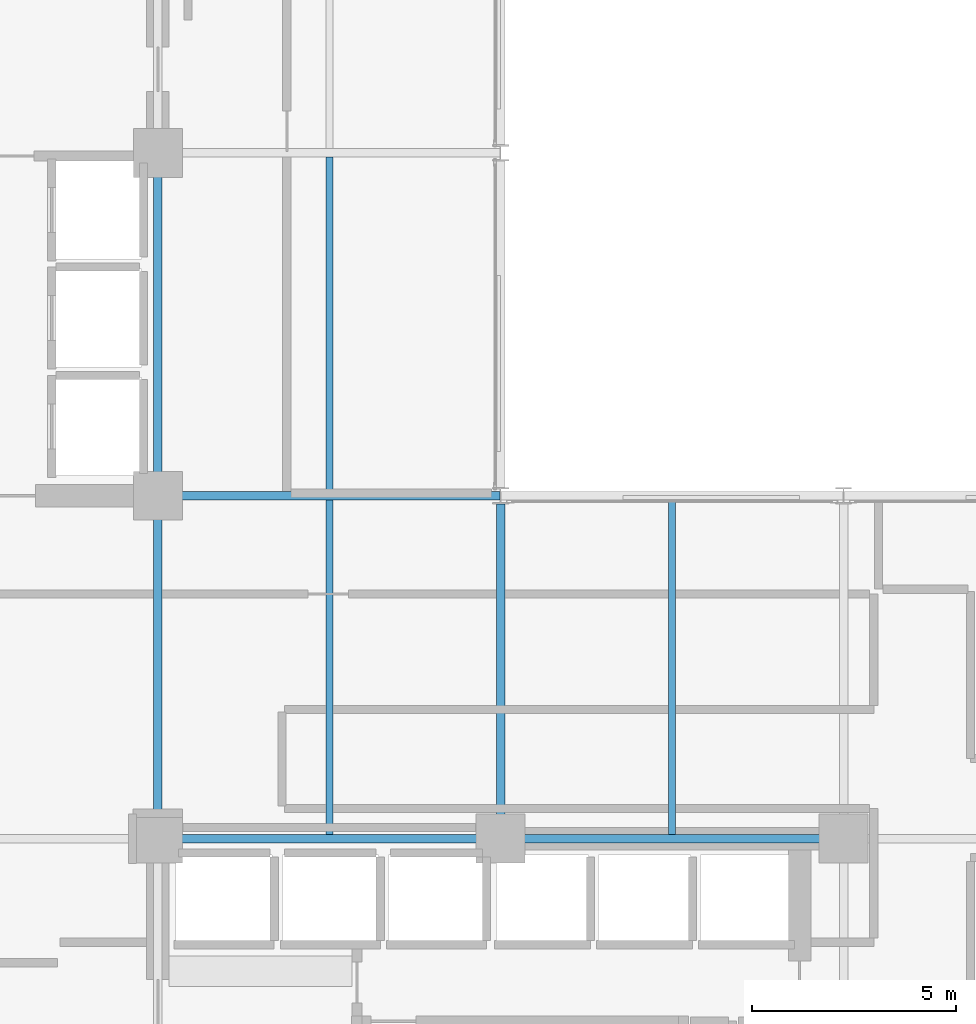
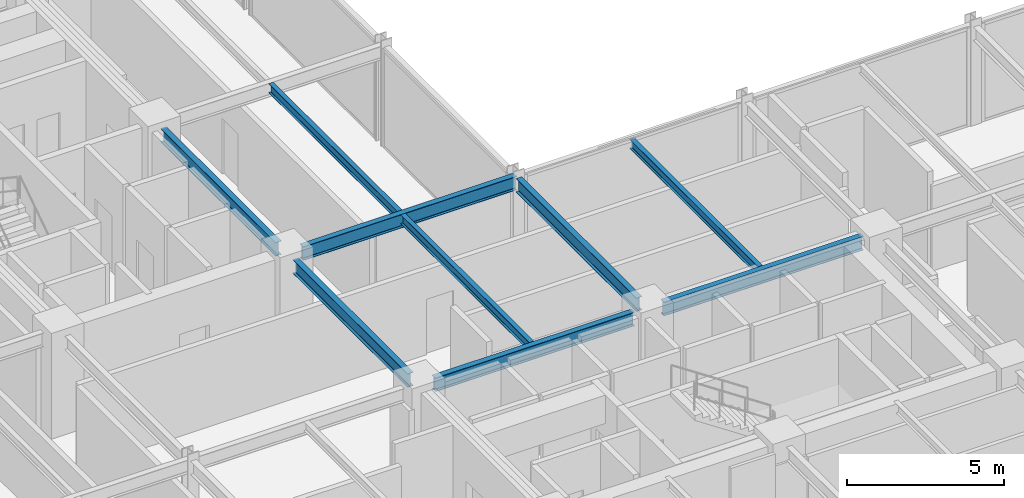
# One storey, part 14 of 38: 9 beams.
"""IFC4 building model written with IfcOpenShell, lengths in metres."""

import ifcopenshell
import ifcopenshell.guid

model = None  # the IFC model being written
_history = None  # IfcOwnerHistory: only IFC2X3 demands one
_inside = {}  # id of a spatial element -> (the spatial element, [elements in it])
_under = {}  # id of a project, library or spatial element -> (it, [spatial elements below it])
_declared = {}  # id of a project -> (the project, [libraries it declares])
_typed = {}  # id of a type object -> (the type object, [elements of that type])
_made_of = {}  # id of a material, layer set ... -> (it, [elements and type objects made of it])


def new_model(schema):
    """Start an empty IFC model of exactly this schema.

    Asked for "IFC4X3", IfcOpenShell would pick the latest addendum, in which some entities
    have other attributes; the version numbers below select the first issue.
    IFC2X3 requires an IfcOwnerHistory on every rooted entity: one is made here for all.
    """
    global model, _history
    if schema == "IFC4X3":
        model = ifcopenshell.file(schema_version=(4, 3, 0, 0))
    else:
        model = ifcopenshell.file(schema=schema)
    _inside.clear()
    _under.clear()
    _declared.clear()
    _typed.clear()
    _made_of.clear()
    _history = None
    if model.schema == "IFC2X3":
        org = make("IfcOrganization", Name="unknown")
        user = make(
            "IfcPersonAndOrganization",
            ThePerson=make("IfcPerson", FamilyName="unknown"),
            TheOrganization=org,
        )
        app = make(
            "IfcApplication",
            ApplicationDeveloper=org,
            Version="unknown",
            ApplicationFullName="unknown",
            ApplicationIdentifier="unknown",
        )
        _history = make(
            "IfcOwnerHistory",
            OwningUser=user,
            OwningApplication=app,
            ChangeAction="ADDED",
            CreationDate=0,
        )
    return model


def make(cls, **values):
    """One entity of the class cls with the attributes given. An attribute that is None is left unset."""
    return model.create_entity(
        cls, **{name: value for name, value in values.items() if value is not None}
    )


def rooted(cls, **values):
    """An entity with a GlobalId (a new one), such as an element, a storey or a relation."""
    return make(cls, GlobalId=ifcopenshell.guid.new(), OwnerHistory=_history, **values)


def si_unit(unit_type, name, prefix=None):
    """IfcSIUnit, for example si_unit("LENGTHUNIT", "METRE", prefix="MILLI")."""
    return make("IfcSIUnit", UnitType=unit_type, Prefix=prefix, Name=name)


def assignment(units):
    """IfcUnitAssignment: the units of a project."""
    return None if units is None else make("IfcUnitAssignment", Units=units)


def point(xyz):
    """IfcCartesianPoint."""
    return None if xyz is None else make("IfcCartesianPoint", Coordinates=xyz)


def direction(xyz):
    """IfcDirection."""
    return None if xyz is None else make("IfcDirection", DirectionRatios=xyz)


def frame(location, z_axis=None, x_axis=None):
    """IfcAxis2Placement3D, a coordinate frame: its origin and axes. An axis left out is left unset."""
    return make(
        "IfcAxis2Placement3D",
        Location=point(location),
        Axis=direction(z_axis),
        RefDirection=direction(x_axis),
    )


def frame_2d(location, x_axis=None):
    """IfcAxis2Placement2D, a coordinate frame in the plane: its origin and x axis."""
    return make(
        "IfcAxis2Placement2D", Location=point(location), RefDirection=direction(x_axis)
    )


def origin():
    """The frame at (0, 0, 0) with its axes left unset."""
    return frame((0.0, 0.0, 0.0))


def origin_2d():
    """The frame at (0, 0) in the plane with its x axis left unset."""
    return frame_2d((0.0, 0.0))


def place(relative_to, where):
    """IfcLocalPlacement: puts the frame where relative to a parent placement (None: the world)."""
    return make(
        "IfcLocalPlacement", PlacementRelTo=relative_to, RelativePlacement=where
    )


def context(
    kind, dimensions, precision=None, world=None, true_north=None, identifier=None
):
    """IfcGeometricRepresentationContext, for example the 3D "Model" context."""
    return make(
        "IfcGeometricRepresentationContext",
        ContextIdentifier=identifier,
        ContextType=kind,
        CoordinateSpaceDimension=dimensions,
        Precision=precision,
        WorldCoordinateSystem=world,
        TrueNorth=true_north,
    )


def subcontext(parent, identifier, kind, view, scale=None):
    """IfcGeometricRepresentationSubContext, for example "Body" below "Model"."""
    return make(
        "IfcGeometricRepresentationSubContext",
        ContextIdentifier=identifier,
        ContextType=kind,
        ParentContext=parent,
        TargetScale=scale,
        TargetView=view,
    )


def project(units=None, contexts=None):
    """IfcProject with its units and contexts."""
    return rooted(
        "IfcProject",
        Name="project",
        RepresentationContexts=contexts,
        UnitsInContext=assignment(units),
    )


def spatial(cls, under=None, at=None, **own):
    """A site, building, storey or space (cls), placed at a placement, below another one or the project."""
    s = rooted(cls, ObjectPlacement=at, **own)
    if under is not None:
        _under.setdefault(under.id(), (under, []))[1].append(s)
    return s


def profile(cls, at=None, kind="AREA", **sizes):
    """A parametric profile (cls). Its sizes go by their IFC names, for example OverallWidth=200.0."""
    return make(cls, ProfileType=kind, Position=at, **sizes)


def i_section(**sizes):
    """IfcIShapeProfileDef."""
    return profile("IfcIShapeProfileDef", **sizes)


def extrude(swept, where, along, depth):
    """IfcExtrudedAreaSolid: the profile swept, set in the frame where, extruded along a direction by depth."""
    return make(
        "IfcExtrudedAreaSolid",
        SweptArea=swept,
        Position=where,
        ExtrudedDirection=direction(along),
        Depth=depth,
    )


def shape(context_of_items, identifier, shape_type, items):
    """IfcShapeRepresentation: the items that make up one representation, for example the "Body"."""
    return make(
        "IfcShapeRepresentation",
        ContextOfItems=context_of_items,
        RepresentationIdentifier=identifier,
        RepresentationType=shape_type,
        Items=items,
    )


def material(Name=None, Category=None):
    """IfcMaterial."""
    return make("IfcMaterial", Name=Name, Category=Category)


def material_profile(
    of_material, cross_section, Name=None, Category=None, Priority=None
):
    """IfcMaterialProfile: a cross section and its material."""
    return make(
        "IfcMaterialProfile",
        Name=Name,
        Material=of_material,
        Profile=cross_section,
        Priority=Priority,
        Category=Category,
    )


def profile_set(profiles, Name=None, composite=None):
    """IfcMaterialProfileSet."""
    return make(
        "IfcMaterialProfileSet",
        Name=Name,
        MaterialProfiles=profiles,
        CompositeProfile=composite,
    )


def made_of(thing, what):
    """Note that an element or type object is made of a material, layer set ...; save() writes the relation."""
    if what is not None:
        _made_of.setdefault(what.id(), (what, []))[1].append(thing)
    return thing


def type_object(cls, material=None, **own):
    """A type object (cls), such as IfcWallType, which elements share."""
    return made_of(rooted(cls, **own), material)


def element(
    cls,
    number,
    at=None,
    inside=None,
    cuts=None,
    type_object=None,
    material=None,
    context=None,
    identifier="Body",
    shape_type=None,
    held_by="IfcProductDefinitionShape",
    body=None,
    shapes=None,
    **own,
):
    """One element of the class cls, such as IfcWall. Its Tag is "e" and its number.

    at: its placement. inside: the storey or other place that contains it. cuts: it is an
    opening in that element (IfcRelVoidsElement). A single representation is given by context,
    identifier, shape_type and body (its items); several are given by shapes. held_by: the class
    of the entity that holds the representations. save() writes the other relations.
    """
    e = rooted(cls, Tag="e%d" % number, ObjectPlacement=at, **own)
    if body is not None:
        shapes = [shape(context, identifier, shape_type, body)]
    if shapes is not None:
        e.Representation = make(held_by, Representations=shapes)
    if inside is not None:
        _inside.setdefault(inside.id(), (inside, []))[1].append(e)
    if cuts is not None:
        rooted(
            "IfcRelVoidsElement", RelatingBuildingElement=cuts, RelatedOpeningElement=e
        )
    if type_object is not None:
        _typed.setdefault(type_object.id(), (type_object, []))[1].append(e)
    return made_of(e, material)


def aggregate(whole, parts):
    """IfcRelAggregates: a whole, such as a stair, and the parts it consists of."""
    return rooted("IfcRelAggregates", RelatingObject=whole, RelatedObjects=parts)


def save(model, path):
    """Write the relations noted so far, then the file.

    IfcRelAggregates (storeys below a building ...), IfcRelContainedInSpatialStructure (elements
    in a storey), IfcRelDefinesByType, IfcRelAssociatesMaterial and IfcRelDeclares: one each for
    every whole, place, type object, material and project.
    """
    for whole, parts in _under.values():
        aggregate(whole, parts)
    for where, things in _inside.values():
        rooted(
            "IfcRelContainedInSpatialStructure",
            RelatedElements=things,
            RelatingStructure=where,
        )
    for kind, things in _typed.values():
        rooted("IfcRelDefinesByType", RelatedObjects=things, RelatingType=kind)
    for what, things in _made_of.values():
        rooted("IfcRelAssociatesMaterial", RelatedObjects=things, RelatingMaterial=what)
    for by, libraries in _declared.values():
        rooted("IfcRelDeclares", RelatingContext=by, RelatedDefinitions=libraries)
    model.write(path)


model = new_model("IFC4")

# Units and contexts
model_context = context("Model", 3, precision=1e-05, world=origin(), true_north=direction((0.0, 1.0)))
body_context = subcontext(model_context, "Body", "Model", "MODEL_VIEW")
ifc_project = project(units=[si_unit("LENGTHUNIT", "METRE"), si_unit("AREAUNIT", "SQUARE_METRE"), si_unit("VOLUMEUNIT", "CUBIC_METRE"), si_unit("PLANEANGLEUNIT", "RADIAN"), si_unit("MASSUNIT", "GRAM", prefix="KILO")], contexts=[model_context])

# Site, building, storey
site_placement = place(None, origin())
site = spatial("IfcSite", under=ifc_project, at=site_placement, CompositionType="ELEMENT")
building_placement = place(site_placement, origin())
building = spatial("IfcBuilding", under=site, at=building_placement, Name="Nerrivon Quay Data Exchange", CompositionType="ELEMENT")
storey_placement = place(building_placement, frame((0.0, 0.0, 100.800048828125)))
storey = spatial("IfcBuildingStorey", under=building, at=storey_placement, Name="L23", CompositionType="ELEMENT", Elevation=100.800048828125)

# Beams
ifc_material = material(Name="Steel Grade 350", Category="steel")
ifc_material_profile_1 = material_profile(ifc_material, i_section(OverallWidth=0.208984375, OverallDepth=0.532958984375, WebThickness=0.01025390625, FlangeThickness=0.015625, FilletRadius=0.013916015625, at=origin_2d()), Name="530UB92.4")
ifc_profile_set_1 = profile_set([ifc_material_profile_1], Name="Steel Grade 350")
beam_type_1 = type_object("IfcBeamType", Name="BM-G3-530UB92", PredefinedType="BEAM", material=ifc_profile_set_1)
beam_1_placement = place(storey_placement, frame((17.340087890625, 16.800048828125, 3.558349609375), z_axis=(1.0, 0.0, 0.0), x_axis=(0.0, 1.0, 0.0)))
element("IfcBeam", 1, at=beam_1_placement, inside=storey, type_object=beam_type_1, Name="L23 EW Girder Y=16.8 (16.8..25.2)", PredefinedType="BEAM", context=body_context, shape_type="SweptSolid", body=[
    extrude(i_section(OverallWidth=0.208984375, OverallDepth=0.532958984375, WebThickness=0.01025390625, FlangeThickness=0.015625, FilletRadius=0.013916015625, at=origin_2d()), origin(), (0.0, 0.0, 1.0), 7.31982421875),
])
beam_2_placement = place(storey_placement, frame((25.739990234375, 16.800048828125, 3.558349609375), z_axis=(1.0, 0.0, 0.0), x_axis=(0.0, 1.0, 0.0)))
element("IfcBeam", 2, at=beam_2_placement, inside=storey, type_object=beam_type_1, Name="L23 EW Girder Y=16.8 (25.2..33.6)", PredefinedType="BEAM", context=body_context, shape_type="SweptSolid", body=[
    extrude(i_section(OverallWidth=0.208984375, OverallDepth=0.532958984375, WebThickness=0.01025390625, FlangeThickness=0.015625, FilletRadius=0.013916015625, at=origin_2d()), origin(), (0.0, 0.0, 1.0), 7.320068359375),
])
beam_3_placement = place(storey_placement, frame((17.340087890625, 25.199951171875, 3.558349609375), z_axis=(1.0, 0.0, 0.0), x_axis=(0.0, 1.0, 0.0)))
element("IfcBeam", 3, at=beam_3_placement, inside=storey, type_object=beam_type_1, Name="L23 EW Girder Y=25.2 (16.8..25.2)", PredefinedType="BEAM", context=body_context, shape_type="SweptSolid", body=[
    extrude(i_section(OverallWidth=0.208984375, OverallDepth=0.532958984375, WebThickness=0.01025390625, FlangeThickness=0.015625, FilletRadius=0.013916015625, at=origin_2d()), origin(), (0.0, 0.0, 1.0), 7.847412109375),
])
ifc_material_profile_2 = material_profile(ifc_material, i_section(OverallWidth=0.208984375, OverallDepth=0.528076171875, WebThickness=0.009521484375, FlangeThickness=0.01318359375, FilletRadius=0.013916015625, at=origin_2d()), Name="530UB82.0")
ifc_profile_set_2 = profile_set([ifc_material_profile_2], Name="Steel Grade 350")
beam_type_2 = type_object("IfcBeamType", Name="BM-G4-530UB82", PredefinedType="BEAM", material=ifc_profile_set_2)
beam_4_placement = place(storey_placement, frame((16.800048828125, 17.340087890625, 3.56103515625), z_axis=(0.0, 1.0, 0.0), x_axis=(-1.0, 0.0, 0.0)))
element("IfcBeam", 4, at=beam_4_placement, inside=storey, type_object=beam_type_2, Name="L23 NS Girder X=16.8 (16.8..25.2)", PredefinedType="BEAM", context=body_context, shape_type="SweptSolid", body=[
    extrude(i_section(OverallWidth=0.208984375, OverallDepth=0.528076171875, WebThickness=0.009521484375, FlangeThickness=0.01318359375, FilletRadius=0.013916015625, at=origin_2d()), origin(), (0.0, 0.0, 1.0), 7.31982421875),
])
beam_5_placement = place(storey_placement, frame((16.800048828125, 25.739990234375, 3.56103515625), z_axis=(0.0, 1.0, 0.0), x_axis=(-1.0, 0.0, 0.0)))
element("IfcBeam", 5, at=beam_5_placement, inside=storey, type_object=beam_type_2, Name="L23 NS Girder X=16.8 (25.2..33.6)", PredefinedType="BEAM", context=body_context, shape_type="SweptSolid", body=[
    extrude(i_section(OverallWidth=0.208984375, OverallDepth=0.528076171875, WebThickness=0.009521484375, FlangeThickness=0.01318359375, FilletRadius=0.013916015625, at=origin_2d()), origin(), (0.0, 0.0, 1.0), 7.320068359375),
])
beam_6_placement = place(storey_placement, frame((25.199951171875, 17.340087890625, 3.56103515625), z_axis=(0.0, 1.0, 0.0), x_axis=(-1.0, 0.0, 0.0)))
element("IfcBeam", 6, at=beam_6_placement, inside=storey, type_object=beam_type_2, Name="L23 NS Girder X=25.2 (16.8..25.2)", PredefinedType="BEAM", context=body_context, shape_type="SweptSolid", body=[
    extrude(i_section(OverallWidth=0.208984375, OverallDepth=0.528076171875, WebThickness=0.009521484375, FlangeThickness=0.01318359375, FilletRadius=0.013916015625, at=origin_2d()), origin(), (0.0, 0.0, 1.0), 7.659912109375),
])
ifc_material_profile_3 = material_profile(ifc_material, i_section(OverallWidth=0.1708984375, OverallDepth=0.35595703125, WebThickness=0.00732421875, FlangeThickness=0.011474609375, FilletRadius=0.011474609375, at=origin_2d()), Name="360UB50.7")
ifc_profile_set_3 = profile_set([ifc_material_profile_3], Name="Steel Grade 350")
beam_type_3 = type_object("IfcBeamType", Name="BM-J4-360UB51", PredefinedType="JOIST", material=ifc_profile_set_3)
beam_7_placement = place(storey_placement, frame((21.0, 16.904541015625, 3.64697265625), z_axis=(0.0, 1.0, 0.0), x_axis=(-1.0, 0.0, 0.0)))
element("IfcBeam", 7, at=beam_7_placement, inside=storey, type_object=beam_type_3, Name="L23 Secondary Joist X=21.0 (16.8..25.2)", PredefinedType="JOIST", context=body_context, shape_type="SweptSolid", body=[
    extrude(i_section(OverallWidth=0.1708984375, OverallDepth=0.35595703125, WebThickness=0.00732421875, FlangeThickness=0.011474609375, FilletRadius=0.011474609375, at=origin_2d()), origin(), (0.0, 0.0, 1.0), 8.19091796875),
])
beam_8_placement = place(storey_placement, frame((21.0, 25.304443359375, 3.64697265625), z_axis=(0.0, 1.0, 0.0), x_axis=(-1.0, 0.0, 0.0)))
element("IfcBeam", 8, at=beam_8_placement, inside=storey, type_object=beam_type_3, Name="L23 Secondary Joist X=21.0 (25.2..33.6)", PredefinedType="JOIST", context=body_context, shape_type="SweptSolid", body=[
    extrude(i_section(OverallWidth=0.1708984375, OverallDepth=0.35595703125, WebThickness=0.00732421875, FlangeThickness=0.011474609375, FilletRadius=0.011474609375, at=origin_2d()), origin(), (0.0, 0.0, 1.0), 8.191162109375),
])
beam_9_placement = place(storey_placement, frame((29.39990234375, 16.904541015625, 3.64697265625), z_axis=(0.0, 1.0, 0.0), x_axis=(-1.0, 0.0, 0.0)))
element("IfcBeam", 9, at=beam_9_placement, inside=storey, type_object=beam_type_3, Name="L23 Secondary Joist X=29.4 (16.8..25.2)", PredefinedType="JOIST", context=body_context, shape_type="SweptSolid", body=[
    extrude(i_section(OverallWidth=0.1708984375, OverallDepth=0.35595703125, WebThickness=0.00732421875, FlangeThickness=0.011474609375, FilletRadius=0.011474609375, at=origin_2d()), origin(), (0.0, 0.0, 1.0), 8.19091796875),
])

save(model, "model.ifc")
